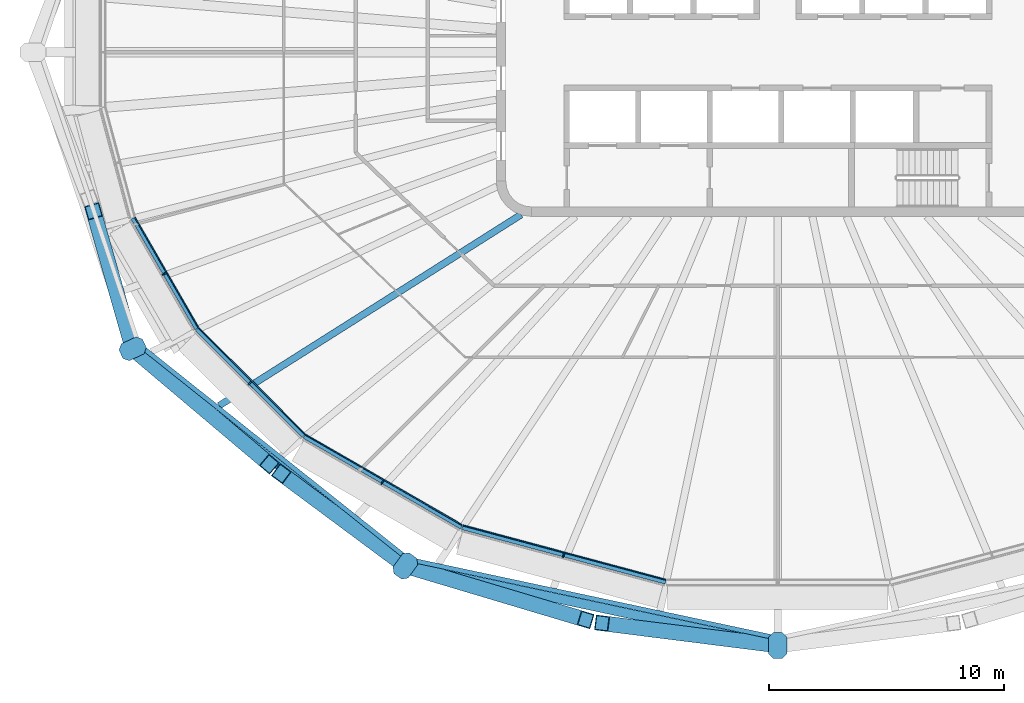
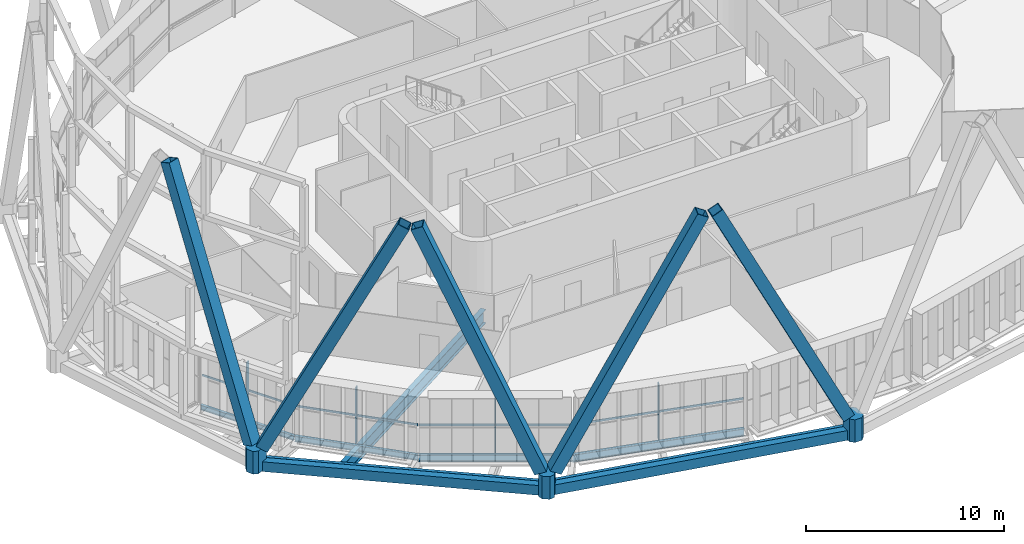
# One storey, part 1 of 22: 16 members, 9 beams, 4 elements without a shape of their own.
"""IFC4 building model written with IfcOpenShell, lengths in metres."""

from ifc_helpers import new_model, si_unit, direction, frame, origin, origin_2d, place, context, subcontext, project, spatial, polyline, rectangle, hollow_rectangle, i_section, outline, extrude, material, layer, layer_set, material_profile, profile_set, type_object, element, aggregate, save


model = new_model("IFC4")

# Units and contexts
model_context = context("Model", 3, precision=1e-05, world=origin(), true_north=direction((0.0, 1.0)))
body_context = subcontext(model_context, "Body", "Model", "MODEL_VIEW")
ifc_project = project(units=[si_unit("LENGTHUNIT", "METRE"), si_unit("AREAUNIT", "SQUARE_METRE"), si_unit("VOLUMEUNIT", "CUBIC_METRE"), si_unit("PLANEANGLEUNIT", "RADIAN"), si_unit("MASSUNIT", "GRAM", prefix="KILO")], contexts=[model_context])

# Site, building, storey
site_placement = place(None, origin())
site = spatial("IfcSite", under=ifc_project, at=site_placement, CompositionType="ELEMENT")
building_placement = place(site_placement, origin())
building = spatial("IfcBuilding", under=site, at=building_placement, Name="Sahrelin Media Tower", CompositionType="ELEMENT")
storey_placement = place(building_placement, frame((0.0, 0.0, 283.0)))
storey = spatial("IfcBuildingStorey", under=building, at=storey_placement, Name="L62", CompositionType="ELEMENT", Elevation=283.0)

# Members
ifc_material_1 = material(Name="Steel S460", Category="steel")
ifc_material_profile_1 = material_profile(ifc_material_1, hollow_rectangle(XDim=0.64990234375, YDim=0.64990234375, WallThickness=0.034912109375, at=origin_2d()), Name="Diagrid diagonal DG8")
ifc_profile_set_1 = profile_set([ifc_material_profile_1], Name="Steel S460")
member_type_1 = type_object("IfcMemberType", Name="Diagrid diagonal DG8", PredefinedType="BRACE", material=ifc_profile_set_1)
member_1_placement = place(storey_placement, frame((-27.580810546875, -12.376953125, 0.699951171875), z_axis=(-0.101325736201, 0.356092469212, 0.928940928452), x_axis=(-0.961819462304, -0.273684712642, 0.0)))
element("IfcMember", 1, at=member_1_placement, inside=storey, type_object=member_type_1, Name="Diagrid diagonal D14-13", PredefinedType="BRACE", context=body_context, shape_type="SweptSolid", body=[
    extrude(hollow_rectangle(XDim=0.64990234375, YDim=0.64990234375, WallThickness=0.034912109375, at=origin_2d()), origin(), (0.0, 0.0, 1.0), 15.717041015625),
])
member_2_placement = place(storey_placement, frame((-27.23779296875, -12.870361328125, 0.699951171875), z_axis=(0.340774386731, -0.287854833306, 0.894992967733), x_axis=(0.645298316968, 0.763930678869, 0.0)))
element("IfcMember", 2, at=member_2_placement, inside=storey, type_object=member_type_1, Name="Diagrid diagonal D14-14", PredefinedType="BRACE", context=body_context, shape_type="SweptSolid", body=[
    extrude(hollow_rectangle(XDim=0.64990234375, YDim=0.64990234375, WallThickness=0.034912109375, at=origin_2d()), origin(), (0.0, 0.0, 1.0), 16.31298828125),
])
member_3_placement = place(storey_placement, frame((-16.121826171875, -21.722412109375, 0.699951171875), z_axis=(-0.317562028427, 0.235967722545, 0.918408183771), x_axis=(-0.596429054318, -0.802665797929, 0.0)))
element("IfcMember", 3, at=member_3_placement, inside=storey, type_object=member_type_1, Name="Diagrid diagonal D14-15", PredefinedType="BRACE", context=body_context, shape_type="SweptSolid", body=[
    extrude(hollow_rectangle(XDim=0.64990234375, YDim=0.64990234375, WallThickness=0.034912109375, at=origin_2d()), origin(), (0.0, 0.0, 1.0), 15.897216796875),
])
member_4_placement = place(storey_placement, frame((-15.52783203125, -22.007080078125, 0.699951171875), z_axis=(0.445117153256, -0.132902839431, 0.885554941914), x_axis=(0.286098869613, 0.958200102696, 0.0)))
element("IfcMember", 4, at=member_4_placement, inside=storey, type_object=member_type_1, Name="Diagrid diagonal D14-16", PredefinedType="BRACE", context=body_context, shape_type="SweptSolid", body=[
    extrude(hollow_rectangle(XDim=0.64990234375, YDim=0.64990234375, WallThickness=0.034912109375, at=origin_2d()), origin(), (0.0, 0.0, 1.0), 16.487060546875),
])
member_5_placement = place(storey_placement, frame((-0.343017578125, -25.247314453125, 0.699951171875), z_axis=(-0.43920847256, 0.05532839218, 0.896679812782), x_axis=(-0.124985158945, -0.992158611334, 0.0)))
element("IfcMember", 5, at=member_5_placement, inside=storey, type_object=member_type_1, Name="Diagrid diagonal D14-17", PredefinedType="BRACE", context=body_context, shape_type="SweptSolid", body=[
    extrude(hollow_rectangle(XDim=0.64990234375, YDim=0.64990234375, WallThickness=0.034912109375, at=origin_2d()), origin(), (0.0, 0.0, 1.0), 16.282470703125),
])
ifc_material_profile_2 = material_profile(ifc_material_1, outline(polyline([(0.35009765625, -0.39990234375), (0.550048828125, -0.199951171875), (0.550048828125, 0.199951171875), (0.35009765625, 0.39990234375), (-0.35009765625, 0.39990234375), (-0.550048828125, 0.199951171875), (-0.550048828125, -0.199951171875), (-0.35009765625, -0.39990234375), (0.35009765625, -0.39990234375)])), Name="Diagrid node block 1100")
ifc_profile_set_2 = profile_set([ifc_material_profile_2], Name="Steel S460")
member_type_2 = type_object("IfcMemberType", Name="Diagrid node block 1100", PredefinedType="USERDEFINED", material=ifc_profile_set_2)
for number, where, z_axis, x_axis, name in (
    (6, (-27.50439453125, -12.645263671875, -0.699951171875), (0.0, 0.0, 1.0), (-0.90857453379, -0.417722774755, 0.0), "Diagrid node N14-07"),
    (7, (-15.879638671875, -21.902099609375, -0.699951171875), (0.0, 0.0, 1.0), (-0.586981533995, -0.809600320374, 0.0), "Diagrid node N14-08"),
    (8, (0.0, -25.29052734375, -0.699951171875), (0.0, 0.0, 1.0), (0.0, -1.0, 0.0), "Diagrid node N14-09"),
):
    element("IfcMember", number, at=place(storey_placement, frame(where, z_axis=z_axis, x_axis=x_axis)), inside=storey, type_object=member_type_2, Name=name, ObjectType="NODE", PredefinedType="USERDEFINED", context=body_context, shape_type="SweptSolid", body=[
        extrude(outline(polyline([(0.35009765625, -0.39990234375), (0.550048828125, -0.199951171875), (0.550048828125, 0.199951171875), (0.35009765625, 0.39990234375), (-0.35009765625, 0.39990234375), (-0.550048828125, 0.199951171875), (-0.550048828125, -0.199951171875), (-0.35009765625, -0.39990234375), (0.35009765625, -0.39990234375)])), origin(), (0.0, 0.0, 1.0), 1.39990234375),
    ])

# Beams
ifc_material_profile_3 = material_profile(ifc_material_1, hollow_rectangle(XDim=0.39990234375, YDim=0.60009765625, WallThickness=0.030029296875, at=origin_2d()), Name="Diagrid ring beam RB1")
ifc_profile_set_3 = profile_set([ifc_material_profile_3], Name="Steel S460")
beam_type_1 = type_object("IfcBeamType", Name="Diagrid ring beam RB1", PredefinedType="BEAM", material=ifc_profile_set_3)
beam_1_placement = place(storey_placement, frame((-27.50439453125, -12.645263671875, -0.449951171875), z_axis=(0.78227732761, -0.622930319304, 0.0), x_axis=(0.622930319304, 0.78227732761, 0.0)))
element("IfcBeam", 9, at=beam_1_placement, inside=storey, type_object=beam_type_1, Name="Diagrid ring beam RB14-07", PredefinedType="BEAM", context=body_context, shape_type="SweptSolid", body=[
    extrude(hollow_rectangle(XDim=0.39990234375, YDim=0.60009765625, WallThickness=0.030029296875, at=origin_2d()), origin(), (0.0, 0.0, 1.0), 14.860107421875),
])
beam_2_placement = place(storey_placement, frame((-15.879638671875, -21.902099609375, -0.449951171875), z_axis=(0.977983140365, -0.208683916872, 0.0), x_axis=(0.208683916872, 0.977983140365, 0.0)))
element("IfcBeam", 10, at=beam_2_placement, inside=storey, type_object=beam_type_1, Name="Diagrid ring beam RB14-08", PredefinedType="BEAM", context=body_context, shape_type="SweptSolid", body=[
    extrude(hollow_rectangle(XDim=0.39990234375, YDim=0.60009765625, WallThickness=0.030029296875, at=origin_2d()), origin(), (0.0, 0.0, 1.0), 16.237060546875),
])
ifc_material_2 = material(Name="Steel S355", Category="steel")
ifc_material_profile_4 = material_profile(ifc_material_2, i_section(OverallWidth=0.1650390625, OverallDepth=0.303466796875, WebThickness=0.006103515625, FlangeThickness=0.01025390625, FilletRadius=0.0087890625, at=origin_2d()), Name="UB 305x165x40")
ifc_profile_set_4 = profile_set([ifc_material_profile_4], Name="Steel S355")
beam_type_2 = type_object("IfcBeamType", Name="Edge beam EB2", PredefinedType="BEAM", material=ifc_profile_set_4)
beam_3_placement = place(storey_placement, frame((-24.777587890625, -11.792236328125, -0.3017578125), z_axis=(-0.500011311391, 0.866018873051, 0.0), x_axis=(-0.866018873051, -0.500011311391, 0.0)))
element("IfcBeam", 11, at=beam_3_placement, inside=storey, type_object=beam_type_2, Name="Edge beam L62-11", PredefinedType="BEAM", context=body_context, shape_type="SweptSolid", body=[
    extrude(i_section(OverallWidth=0.1650390625, OverallDepth=0.303466796875, WebThickness=0.006103515625, FlangeThickness=0.01025390625, FilletRadius=0.0087890625, at=origin_2d()), origin(), (0.0, 0.0, 1.0), 5.438232421875),
])
ifc_material_profile_5 = material_profile(ifc_material_2, i_section(OverallWidth=0.17138671875, OverallDepth=0.35498046875, WebThickness=0.00732421875, FlangeThickness=0.011474609375, FilletRadius=0.01025390625, at=origin_2d()), Name="UB 356x171x51")
ifc_profile_set_5 = profile_set([ifc_material_profile_5], Name="Steel S355")
beam_type_3 = type_object("IfcBeamType", Name="Edge beam EB3", PredefinedType="BEAM", material=ifc_profile_set_5)
beam_4_placement = place(storey_placement, frame((-20.213623046875, -16.361572265625, -0.327392578125), z_axis=(-0.707106781187, 0.707106781187, 0.0), x_axis=(-0.707106781187, -0.707106781187, 0.0)))
element("IfcBeam", 12, at=beam_4_placement, inside=storey, type_object=beam_type_3, Name="Edge beam L62-10", PredefinedType="BEAM", context=body_context, shape_type="SweptSolid", body=[
    extrude(i_section(OverallWidth=0.17138671875, OverallDepth=0.35498046875, WebThickness=0.00732421875, FlangeThickness=0.011474609375, FilletRadius=0.01025390625, at=origin_2d()), origin(), (0.0, 0.0, 1.0), 6.429443359375),
])
ifc_material_profile_6 = material_profile(ifc_material_2, i_section(OverallWidth=0.177978515625, OverallDepth=0.406494140625, WebThickness=0.0078125, FlangeThickness=0.0126953125, FilletRadius=0.01025390625, at=origin_2d()), Name="UB 406x178x60")
ifc_profile_set_6 = profile_set([ifc_material_profile_6], Name="Steel S355")
beam_type_4 = type_object("IfcBeamType", Name="Edge beam EB4", PredefinedType="BEAM", material=ifc_profile_set_6)
beam_5_placement = place(storey_placement, frame((-13.4892578125, -20.248291015625, -0.353271484375), z_axis=(-0.86601536123, 0.500017393812, 0.0), x_axis=(-0.500017393812, -0.86601536123, 0.0)))
element("IfcBeam", 13, at=beam_5_placement, inside=storey, type_object=beam_type_4, Name="Edge beam L62-09", PredefinedType="BEAM", context=body_context, shape_type="SweptSolid", body=[
    extrude(i_section(OverallWidth=0.177978515625, OverallDepth=0.406494140625, WebThickness=0.0078125, FlangeThickness=0.0126953125, FilletRadius=0.01025390625, at=origin_2d()), origin(), (0.0, 0.0, 1.0), 7.738525390625),
])
ifc_material_profile_7 = material_profile(ifc_material_2, i_section(OverallWidth=0.1904296875, OverallDepth=0.45703125, WebThickness=0.009033203125, FlangeThickness=0.014404296875, FilletRadius=0.01025390625, at=origin_2d()), Name="UB 457x191x74")
ifc_profile_set_7 = profile_set([ifc_material_profile_7], Name="Steel S355")
beam_type_5 = type_object("IfcBeamType", Name="Edge beam EB5", PredefinedType="BEAM", material=ifc_profile_set_7)
beam_6_placement = place(storey_placement, frame((-4.78662109375, -22.583984375, -0.37841796875), z_axis=(-0.965926576826, 0.258816244043, 0.0), x_axis=(-0.258816244043, -0.965926576826, 0.0)))
element("IfcBeam", 14, at=beam_6_placement, inside=storey, type_object=beam_type_5, Name="Edge beam L62-08", PredefinedType="BEAM", context=body_context, shape_type="SweptSolid", body=[
    extrude(i_section(OverallWidth=0.1904296875, OverallDepth=0.45703125, WebThickness=0.009033203125, FlangeThickness=0.014404296875, FilletRadius=0.01025390625, at=origin_2d()), origin(), (0.0, 0.0, 1.0), 8.982177734375),
])

# Curtain wall, member
ifc_material_3 = material(Name="Champagne anodised aluminium 6063-T6", Category="aluminium")
ifc_layer = layer(ifc_material_3, 0.14990234375)
ifc_layer_set = layer_set([ifc_layer], Name="Tower ribbon curtain wall")
curtain_wall_type = type_object("IfcCurtainWallType", Name="Tower ribbon curtain wall", PredefinedType="NOTDEFINED", material=ifc_layer_set)
curtain_wall_1_placement = place(storey_placement, frame((-26.26708984375, -9.512451171875, 0.0), z_axis=(0.0, 0.0, 1.0), x_axis=(1.0, 0.0, 0.0)))
curtain_wall_1 = element("IfcCurtainWall", 15, at=curtain_wall_1_placement, inside=storey, type_object=curtain_wall_type, Name="L62:CW:L62-14", PredefinedType="NOTDEFINED")
ifc_material_profile_8 = material_profile(ifc_material_3, rectangle(XDim=0.06005859375, YDim=0.199951171875, at=origin_2d()), Name="Mullion 60x200")
ifc_profile_set_8 = profile_set([ifc_material_profile_8], Name="Champagne anodised aluminium 6063-T6")
member_type_3 = type_object("IfcMemberType", Name="Mullion 60x200 CW1C", PredefinedType="MULLION", material=ifc_profile_set_8)
member_6_placement = place(storey_placement, frame((-26.1630859375, -9.452392578125, 0.0), z_axis=(0.0, 0.0, 1.0), x_axis=(0.5, -0.866025403784, 0.0)))
member_6 = element("IfcMember", 16, at=member_6_placement, type_object=member_type_3, Name="L62:CWM:L62-14", PredefinedType="MULLION", context=body_context, shape_type="SweptSolid", body=[
    extrude(rectangle(XDim=0.06005859375, YDim=0.199951171875, at=origin_2d()), origin(), (0.0, 0.0, 1.0), 3.448486328125),
])

curtain_wall_2_placement = place(storey_placement, frame((-22.593017578125, -14.1943359375, 0.0), z_axis=(0.0, 0.0, 1.0), x_axis=(1.0, 0.0, 0.0)))
curtain_wall_2 = element("IfcCurtainWall", 17, at=curtain_wall_2_placement, inside=storey, type_object=curtain_wall_type, Name="L62:CW:L62-15", PredefinedType="NOTDEFINED")
member_7_placement = place(storey_placement, frame((-22.508056640625, -14.109619140625, 0.0), z_axis=(0.0, 0.0, 1.0), x_axis=(0.707106781187, -0.707106781187, 0.0)))
member_7 = element("IfcMember", 18, at=member_7_placement, type_object=member_type_3, Name="L62:CWM:L62-15", PredefinedType="MULLION", context=body_context, shape_type="SweptSolid", body=[
    extrude(rectangle(XDim=0.06005859375, YDim=0.199951171875, at=origin_2d()), origin(), (0.0, 0.0, 1.0), 3.448486328125),
])

curtain_wall_3_placement = place(storey_placement, frame((-16.9150390625, -18.443603515625, 0.0), z_axis=(0.0, 0.0, 1.0), x_axis=(1.0, 0.0, 0.0)))
curtain_wall_3 = element("IfcCurtainWall", 19, at=curtain_wall_3_placement, inside=storey, type_object=curtain_wall_type, Name="L62:CW:L62-16", PredefinedType="NOTDEFINED")
member_8_placement = place(storey_placement, frame((-16.85498046875, -18.339599609375, 0.0), z_axis=(0.0, 0.0, 1.0), x_axis=(0.86602365845, -0.500003022996, 0.0)))
member_8 = element("IfcMember", 20, at=member_8_placement, type_object=member_type_3, Name="L62:CWM:L62-16", PredefinedType="MULLION", context=body_context, shape_type="SweptSolid", body=[
    extrude(rectangle(XDim=0.06005859375, YDim=0.199951171875, at=origin_2d()), origin(), (0.0, 0.0, 1.0), 3.448486328125),
])

curtain_wall_4_placement = place(storey_placement, frame((-9.163330078125, -21.56640625, 0.0), z_axis=(0.0, 0.0, 1.0), x_axis=(1.0, 0.0, 0.0)))
curtain_wall_4 = element("IfcCurtainWall", 21, at=curtain_wall_4_placement, inside=storey, type_object=curtain_wall_type, Name="L62:CW:L62-17", PredefinedType="NOTDEFINED")
member_9_placement = place(storey_placement, frame((-9.13232421875, -21.45068359375, 0.0), z_axis=(0.0, 0.0, 1.0), x_axis=(0.965927633163, -0.258812301662, 0.0)))
member_9 = element("IfcMember", 22, at=member_9_placement, type_object=member_type_3, Name="L62:CWM:L62-17", PredefinedType="MULLION", context=body_context, shape_type="SweptSolid", body=[
    extrude(rectangle(XDim=0.06005859375, YDim=0.199951171875, at=origin_2d()), origin(), (0.0, 0.0, 1.0), 3.448486328125),
])

# Beams
ifc_material_profile_9 = material_profile(ifc_material_2, i_section(OverallWidth=0.291748046875, OverallDepth=0.8349609375, WebThickness=0.013916015625, FlangeThickness=0.018798828125, FilletRadius=0.017822265625, at=origin_2d()), Name="UB 838x292x176")
ifc_profile_set_9 = profile_set([ifc_material_profile_9], Name="Steel S355")
beam_type_6 = type_object("IfcBeamType", Name="Radial secondary beam SB10", PredefinedType="BEAM", material=ifc_profile_set_9)
beam_7_placement = place(storey_placement, frame((-10.9453125, -6.92529296875, -0.5673828125), z_axis=(-0.845064505268, -0.534664363817, 0.0), x_axis=(0.534664363817, -0.845064505268, 0.0)))
element("IfcBeam", 23, at=beam_7_placement, inside=storey, type_object=beam_type_6, Name="Secondary beam L62-15", PredefinedType="BEAM", context=body_context, shape_type="SweptSolid", body=[
    extrude(i_section(OverallWidth=0.291748046875, OverallDepth=0.8349609375, WebThickness=0.013916015625, FlangeThickness=0.018798828125, FilletRadius=0.017822265625, at=origin_2d()), origin(), (0.0, 0.0, 1.0), 15.237548828125),
])
ifc_material_profile_10 = material_profile(ifc_material_2, i_section(OverallWidth=0.1904296875, OverallDepth=0.45703125, WebThickness=0.009033203125, FlangeThickness=0.014404296875, FilletRadius=0.01025390625, at=origin_2d()), Name="UB 457x191x74")
ifc_profile_set_10 = profile_set([ifc_material_profile_10], Name="Steel S355")
beam_type_7 = type_object("IfcBeamType", Name="Tie chord TC5", PredefinedType="BEAM", material=ifc_profile_set_10)
beam_8_placement = place(storey_placement, frame((0.0, -24.9833984375, -0.37841796875), z_axis=(-0.977986194818, 0.208669601874, 0.0), x_axis=(-0.208669601874, -0.977986194818, 0.0)))
element("IfcBeam", 24, at=beam_8_placement, inside=storey, type_object=beam_type_7, Name="Tie chord L62-04", PredefinedType="BEAM", context=body_context, shape_type="SweptSolid", body=[
    extrude(i_section(OverallWidth=0.1904296875, OverallDepth=0.45703125, WebThickness=0.009033203125, FlangeThickness=0.014404296875, FilletRadius=0.01025390625, at=origin_2d()), origin(), (0.0, 0.0, 1.0), 16.1025390625),
])
beam_9_placement = place(storey_placement, frame((-15.748046875, -21.623291015625, -0.37841796875), z_axis=(-0.782269953525, 0.622939579584, 0.0), x_axis=(-0.622939579584, -0.782269953525, 0.0)))
element("IfcBeam", 25, at=beam_9_placement, inside=storey, type_object=beam_type_7, Name="Tie chord L62-05", PredefinedType="BEAM", context=body_context, shape_type="SweptSolid", body=[
    extrude(i_section(OverallWidth=0.1904296875, OverallDepth=0.45703125, WebThickness=0.009033203125, FlangeThickness=0.014404296875, FilletRadius=0.01025390625, at=origin_2d()), origin(), (0.0, 0.0, 1.0), 14.700927734375),
])

# Member
ifc_material_profile_11 = material_profile(ifc_material_3, rectangle(XDim=0.050048828125, YDim=0.1201171875, at=origin_2d()), Name="Transom 50x120")
ifc_profile_set_11 = profile_set([ifc_material_profile_11], Name="Champagne anodised aluminium 6063-T6")
member_type_4 = type_object("IfcMemberType", Name="Transom 50x120 CW1C", PredefinedType="USERDEFINED", material=ifc_profile_set_11)
member_10_placement = place(storey_placement, frame((-27.406494140625, -7.048583984375, 1.60009765625), z_axis=(0.499980420476, -0.866036707733, 0.0), x_axis=(0.866036707733, 0.499980420476, 0.0)))
member_10 = element("IfcMember", 26, at=member_10_placement, type_object=member_type_4, Name="L62:CWT:L62-14", ObjectType="TRANSOM", PredefinedType="USERDEFINED", context=body_context, shape_type="SweptSolid", body=[
    extrude(rectangle(XDim=0.050048828125, YDim=0.1201171875, at=origin_2d()), origin(), (0.0, 0.0, 1.0), 5.406982421875),
])

aggregate(curtain_wall_1, [member_6, member_10])

member_11_placement = place(storey_placement, frame((-24.681640625, -11.759033203125, 1.60009765625), z_axis=(0.707087701391, -0.707125860468, 0.0), x_axis=(0.707125860468, 0.707087701391, 0.0)))
member_11 = element("IfcMember", 27, at=member_11_placement, type_object=member_type_4, Name="L62:CWT:L62-15", ObjectType="TRANSOM", PredefinedType="USERDEFINED", context=body_context, shape_type="SweptSolid", body=[
    extrude(rectangle(XDim=0.050048828125, YDim=0.1201171875, at=origin_2d()), origin(), (0.0, 0.0, 1.0), 6.39794921875),
])

aggregate(curtain_wall_2, [member_7, member_11])

member_12_placement = place(storey_placement, frame((-20.129638671875, -16.3046875, 1.60009765625), z_axis=(0.866019939657, -0.500009464026, 0.0), x_axis=(0.500009464026, 0.866019939657, 0.0)))
member_12 = element("IfcMember", 28, at=member_12_placement, type_object=member_type_4, Name="L62:CWT:L62-16", ObjectType="TRANSOM", PredefinedType="USERDEFINED", context=body_context, shape_type="SweptSolid", body=[
    extrude(rectangle(XDim=0.050048828125, YDim=0.1201171875, at=origin_2d()), origin(), (0.0, 0.0, 1.0), 7.706787109375),
])

aggregate(curtain_wall_3, [member_8, member_12])

member_13_placement = place(storey_placement, frame((-13.4228515625, -20.171630859375, 1.60009765625), z_axis=(0.96593185919, -0.258796528958, 0.0), x_axis=(0.258796528958, 0.96593185919, 0.0)))
member_13 = element("IfcMember", 29, at=member_13_placement, type_object=member_type_4, Name="L62:CWT:L62-17", ObjectType="TRANSOM", PredefinedType="USERDEFINED", context=body_context, shape_type="SweptSolid", body=[
    extrude(rectangle(XDim=0.050048828125, YDim=0.1201171875, at=origin_2d()), origin(), (0.0, 0.0, 1.0), 8.95068359375),
])

aggregate(curtain_wall_4, [member_9, member_13])

save(model, "model.ifc")
